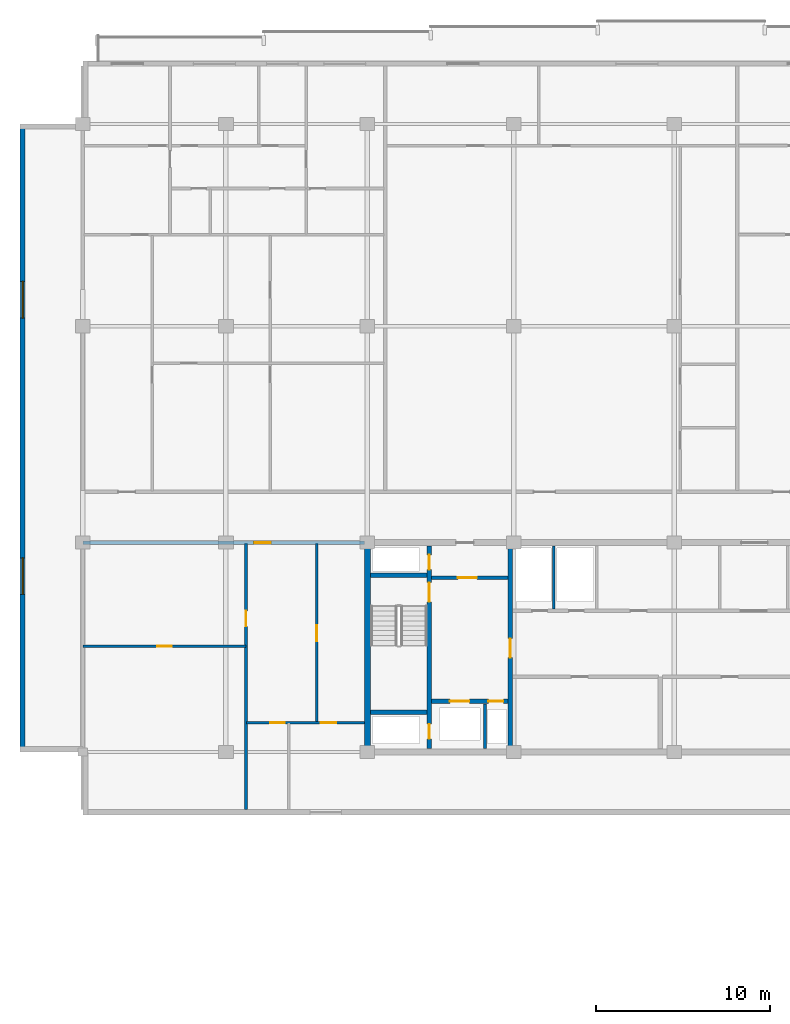
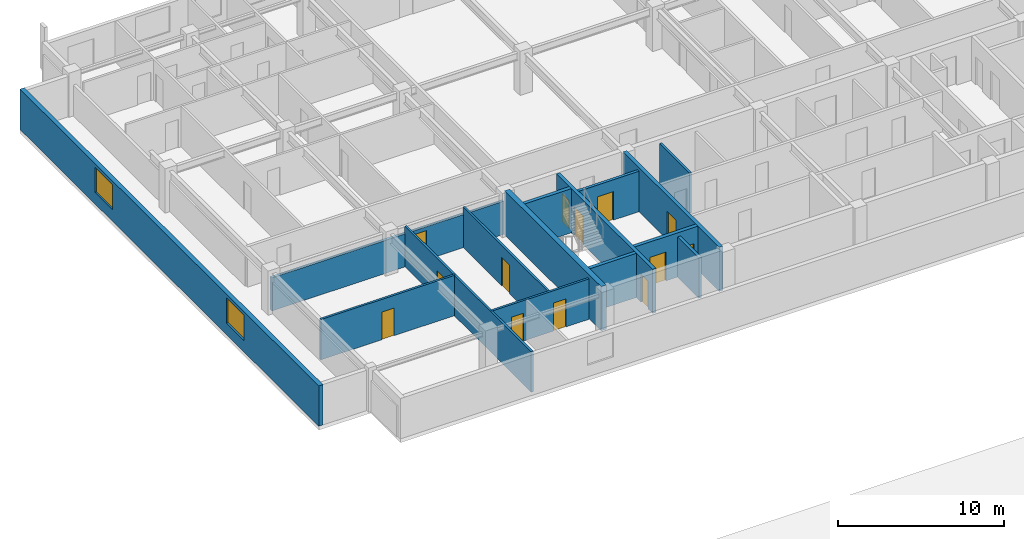
# One storey, part 3 of 11: 15 walls, 13 doors, 2 windows, 15 openings.
"""IFC4 building model written with IfcOpenShell, lengths in metres."""

from ifc_helpers import new_model, si_unit, direction, frame, frame_2d, origin, place, context, subcontext, project, spatial, rectangle, extrude, material, layer, layer_set, type_object, element, fill, save


model = new_model("IFC4")

# Units and contexts
model_context = context("Model", 3, precision=1e-05, world=origin(), true_north=direction((0.0, 1.0)))
body_context = subcontext(model_context, "Body", "Model", "MODEL_VIEW")
ifc_project = project(units=[si_unit("LENGTHUNIT", "METRE"), si_unit("AREAUNIT", "SQUARE_METRE"), si_unit("VOLUMEUNIT", "CUBIC_METRE"), si_unit("PLANEANGLEUNIT", "RADIAN"), si_unit("MASSUNIT", "GRAM", prefix="KILO")], contexts=[model_context])

# Site, building, storey
site_placement = place(None, origin())
site = spatial("IfcSite", under=ifc_project, at=site_placement, CompositionType="ELEMENT")
building_placement = place(site_placement, origin())
building = spatial("IfcBuilding", under=site, at=building_placement, Name="Korimba Cascade Residences", CompositionType="ELEMENT")
storey_placement = place(building_placement, frame((0.0, 0.0, 217.35009765625)))
storey = spatial("IfcBuildingStorey", under=building, at=storey_placement, Name="L63", CompositionType="ELEMENT", Elevation=217.35009765625)

# Wall, openings, windows
ifc_material_1 = material(Name="Precast concrete C40/50", Category="concrete")
ifc_layer_1 = layer(ifc_material_1, 0.300048828125)
ifc_layer_set_1 = layer_set([ifc_layer_1], Name="Precast concrete C40/50")
wall_type_1 = type_object("IfcWallType", Name="EW-STONE-300", PredefinedType="STANDARD", material=ifc_layer_set_1)
wall_1_placement = place(storey_placement, frame((56.35009765625, 91.199951171875, 0.0), z_axis=(0.0, 0.0, 1.0), x_axis=(0.0, -1.0, 0.0)))
wall_1 = element("IfcWall", 1, at=wall_1_placement, inside=storey, type_object=wall_type_1, Name="L63 T1 Perimeter Stone Wall E09", PredefinedType="STANDARD", context=body_context, shape_type="SweptSolid", body=[
    extrude(rectangle(XDim=36.0, YDim=0.300048828125, at=frame_2d((18.0, 0.0))), origin(), (0.0, 0.0, 1.0), 2.969970703125),
])
opening_1_placement = place(wall_1_placement, frame((9.030029296875, 0.0, 0.85009765625)))
opening_1 = element("IfcOpeningElement", 2, at=opening_1_placement, cuts=wall_1, Name="Opening W-03", PredefinedType="OPENING", context=body_context, shape_type="SweptSolid", body=[
    extrude(rectangle(XDim=2.10009765625, YDim=1.85009765625, at=frame_2d((1.050048828125, 0.925048828125))), frame((0.0, 0.16015625, 0.0), z_axis=(0.0, -1.0, 0.0), x_axis=(1.0, 0.0, 0.0)), (0.0, 0.0, 1.0), 0.320068359375),
])
opening_2_placement = place(wall_1_placement, frame((24.8701171875, 0.0, 0.85009765625)))
opening_2 = element("IfcOpeningElement", 3, at=opening_2_placement, cuts=wall_1, Name="Opening W-03", PredefinedType="OPENING", context=body_context, shape_type="SweptSolid", body=[
    extrude(rectangle(XDim=2.10009765625, YDim=1.85009765625, at=frame_2d((1.050048828125, 0.925048828125))), frame((0.0, 0.16015625, 0.0), z_axis=(0.0, -1.0, 0.0), x_axis=(1.0, 0.0, 0.0)), (0.0, 0.0, 1.0), 0.320068359375),
])
ifc_material_2 = material(Name="Double-Glazed Aluminium Window", Category="aluminium")
window_type = type_object("IfcWindowType", Name="WIN-CRN-2100", PartitioningType="DOUBLE_PANEL_HORIZONTAL", PredefinedType="WINDOW", material=ifc_material_2)
window_1_placement = place(opening_1_placement, origin())
window_1 = element("IfcWindow", 4, at=window_1_placement, inside=storey, type_object=window_type, Name="L63 T1 End View Window 9.1", OverallHeight=1.85009765625, OverallWidth=2.10009765625, PartitioningType="DOUBLE_PANEL_HORIZONTAL", PredefinedType="WINDOW", context=body_context, shape_type="SweptSolid", body=[
    extrude(rectangle(XDim=2.10009765625, YDim=1.85009765625, at=frame_2d((1.050048828125, 0.925048828125))), frame((0.0, 0.030029296875, 0.0), z_axis=(0.0, -1.0, 0.0), x_axis=(1.0, 0.0, 0.0)), (0.0, 0.0, 1.0), 0.06005859375),
])
fill(opening_1, window_1)
window_2_placement = place(opening_2_placement, origin())
window_2 = element("IfcWindow", 5, at=window_2_placement, inside=storey, type_object=window_type, Name="L63 T1 End View Window 9.2", OverallHeight=1.85009765625, OverallWidth=2.10009765625, PartitioningType="DOUBLE_PANEL_HORIZONTAL", PredefinedType="WINDOW", context=body_context, shape_type="SweptSolid", body=[
    extrude(rectangle(XDim=2.10009765625, YDim=1.85009765625, at=frame_2d((1.050048828125, 0.925048828125))), frame((0.0, 0.030029296875, 0.0), z_axis=(0.0, -1.0, 0.0), x_axis=(1.0, 0.0, 0.0)), (0.0, 0.0, 1.0), 0.06005859375),
])
fill(opening_2, window_2)

# Wall
ifc_material_3 = material(Name="Concrete C65/80", Category="concrete")
ifc_layer_2 = layer(ifc_material_3, 0.35009765625)
ifc_layer_set_2 = layer_set([ifc_layer_2], Name="Concrete C65/80")
wall_type_2 = type_object("IfcWallType", Name="WAL-CORE-350", PredefinedType="SHEAR", material=ifc_layer_set_2)
wall_2_placement = place(storey_placement, frame((76.125, 55.375, 0.0), z_axis=(0.0, 0.0, 1.0), x_axis=(0.0, 1.0, 0.0)))
element("IfcWall", 6, at=wall_2_placement, inside=storey, type_object=wall_type_2, Name="L63 Core Shear Wall CW-L63-T1-W", PredefinedType="SHEAR", context=body_context, shape_type="SweptSolid", body=[
    extrude(rectangle(XDim=11.64990234375, YDim=0.35009765625, at=frame_2d((5.824951171875, 0.0))), origin(), (0.0, 0.0, 1.0), 3.25),
])

# Wall, opening, door
ifc_layer_3 = layer(ifc_material_1, 0.199951171875)
ifc_layer_set_3 = layer_set([ifc_layer_3], Name="Precast concrete C40/50")
wall_type_3 = type_object("IfcWallType", Name="WAL-IT-200", PredefinedType="PARTITIONING", material=ifc_layer_set_3)
wall_3_placement = place(storey_placement, frame((59.800048828125, 67.199951171875, 0.0), z_axis=(0.0, 0.0, 1.0), x_axis=(1.0, 0.0, 0.0)))
wall_3 = element("IfcWall", 7, at=wall_3_placement, inside=storey, type_object=wall_type_3, Name="L63 Partition Wall WAL-L63-T1-FW-N", PredefinedType="PARTITIONING", context=body_context, shape_type="SweptSolid", body=[
    extrude(rectangle(XDim=16.14990234375, YDim=0.199951171875, at=frame_2d((8.074951171875, 0.0))), origin(), (0.0, 0.0, 1.0), 2.43310546875),
])
opening_3_placement = place(wall_3_placement, frame((9.823486328125, 0.0, 0.0)))
opening_3 = element("IfcOpeningElement", 8, at=opening_3_placement, cuts=wall_3, Name="Opening D-UN1", PredefinedType="OPENING", context=body_context, shape_type="SweptSolid", body=[
    extrude(rectangle(XDim=0.949951171875, YDim=2.14990234375, at=frame_2d((0.47509765625, 1.074951171875))), frame((0.0, 0.10986328125, 0.0), z_axis=(0.0, -1.0, 0.0), x_axis=(1.0, 0.0, 0.0)), (0.0, 0.0, 1.0), 0.219970703125),
])
ifc_material_4 = material(Name="Fire-Rated Hardwood Apartment Entrance Door", Category="wood")
door_type_1 = type_object("IfcDoorType", Name="DR-FD60-950", OperationType="NOTDEFINED", PredefinedType="DOOR", material=ifc_material_4)
door_1_placement = place(opening_3_placement, origin())
door_1 = element("IfcDoor", 9, at=door_1_placement, inside=storey, type_object=door_type_1, Name="L63-T1-FW Entrance Door", OperationType="SINGLE_SWING_LEFT", OverallHeight=2.14990234375, OverallWidth=0.949951171875, PredefinedType="DOOR", context=body_context, shape_type="SweptSolid", body=[
    extrude(rectangle(XDim=0.949951171875, YDim=2.14990234375, at=frame_2d((0.47509765625, 1.074951171875))), frame((0.0, 0.02490234375, 0.0), z_axis=(0.0, -1.0, 0.0), x_axis=(1.0, 0.0, 0.0)), (0.0, 0.0, 1.0), 0.050048828125),
])
fill(opening_3, door_1)

# Wall
ifc_material_5 = material(Name="Insulated Acoustic Stud Partition", Category="gypsum")
ifc_layer_4 = layer(ifc_material_5, 0.14990234375)
ifc_layer_set_4 = layer_set([ifc_layer_4], Name="Insulated Acoustic Stud Partition")
wall_type_4 = type_object("IfcWallType", Name="WAL-PART-150", PredefinedType="PARTITIONING", material=ifc_layer_set_4)
wall_4_placement = place(storey_placement, frame((86.800048828125, 63.39990234375, 0.0), z_axis=(0.0, 0.0, 1.0), x_axis=(0.0, 1.0, 0.0)))
element("IfcWall", 10, at=wall_4_placement, inside=storey, type_object=wall_type_4, Name="L63 Partition Wall CW-L63-T1-ERDIV", PredefinedType="PARTITIONING", context=body_context, shape_type="SweptSolid", body=[
    extrude(rectangle(XDim=3.60009765625, YDim=0.14990234375, at=frame_2d((1.800048828125, 0.0))), origin(), (0.0, 0.0, 1.0), 2.969970703125),
])

# Wall, opening, door
wall_5_placement = place(storey_placement, frame((59.800048828125, 61.25, 0.0), z_axis=(0.0, 0.0, 1.0), x_axis=(1.0, 0.0, 0.0)))
wall_5 = element("IfcWall", 11, at=wall_5_placement, inside=storey, type_object=wall_type_4, Name="L63 Partition Wall WAL-L63-T1-FW-STH", PredefinedType="PARTITIONING", context=body_context, shape_type="SweptSolid", body=[
    extrude(rectangle(XDim=9.349853515625, YDim=0.14990234375, at=frame_2d((4.6748046875, 0.0))), origin(), (0.0, 0.0, 1.0), 2.969970703125),
])
opening_4_placement = place(wall_5_placement, frame((4.2548828125, 0.0, 0.0)))
opening_4 = element("IfcOpeningElement", 12, at=opening_4_placement, cuts=wall_5, Name="Opening D-BT1", PredefinedType="OPENING", context=body_context, shape_type="SweptSolid", body=[
    extrude(rectangle(XDim=0.840087890625, YDim=2.0400390625, at=frame_2d((0.419921875, 1.02001953125))), frame((0.0, 0.0849609375, 0.0), z_axis=(0.0, -1.0, 0.0), x_axis=(1.0, 0.0, 0.0)), (0.0, 0.0, 1.0), 0.169921875),
])
ifc_material_6 = material(Name="Moisture-Resistant Bathroom Timber Door", Category="wood")
door_type_2 = type_object("IfcDoorType", Name="DR-INT-850", OperationType="NOTDEFINED", PredefinedType="DOOR", material=ifc_material_6)
door_2_placement = place(opening_4_placement, origin())
door_2 = element("IfcDoor", 13, at=door_2_placement, inside=storey, type_object=door_type_2, Name="L63-T1-FW Dressing Store Door", OperationType="SINGLE_SWING_RIGHT", OverallHeight=2.0400390625, OverallWidth=0.840087890625, PredefinedType="DOOR", context=body_context, shape_type="SweptSolid", body=[
    extrude(rectangle(XDim=0.840087890625, YDim=2.0400390625, at=frame_2d((0.419921875, 1.02001953125))), frame((0.0, 0.02490234375, 0.0), z_axis=(0.0, -1.0, 0.0), x_axis=(1.0, 0.0, 0.0)), (0.0, 0.0, 1.0), 0.050048828125),
])
fill(opening_4, door_2)

wall_6_placement = place(storey_placement, frame((69.14990234375, 51.89990234375, 0.0), z_axis=(0.0, 0.0, 1.0), x_axis=(0.0, 1.0, 0.0)))
wall_6 = element("IfcWall", 14, at=wall_6_placement, inside=storey, type_object=wall_type_4, Name="L63 Partition Wall WAL-L63-T1-FW-STV", PredefinedType="PARTITIONING", context=body_context, shape_type="SweptSolid", body=[
    extrude(rectangle(XDim=15.25, YDim=0.14990234375, at=frame_2d((7.625, 0.0))), origin(), (0.0, 0.0, 1.0), 2.969970703125),
])
opening_5_placement = place(wall_6_placement, frame((10.5, 0.0, 0.0)))
opening_5 = element("IfcOpeningElement", 15, at=opening_5_placement, cuts=wall_6, Name="Opening D-IN2", PredefinedType="OPENING", context=body_context, shape_type="SweptSolid", body=[
    extrude(rectangle(XDim=0.8798828125, YDim=2.06005859375, at=frame_2d((0.43994140625, 1.030029296875))), frame((0.0, 0.0849609375, 0.0), z_axis=(0.0, -1.0, 0.0), x_axis=(1.0, 0.0, 0.0)), (0.0, 0.0, 1.0), 0.169921875),
])
ifc_material_7 = material(Name="Acoustic Timber Bedroom Door", Category="wood")
door_type_3 = type_object("IfcDoorType", Name="DR-INT-880", OperationType="NOTDEFINED", PredefinedType="DOOR", material=ifc_material_7)
door_3_placement = place(opening_5_placement, origin())
door_3 = element("IfcDoor", 16, at=door_3_placement, inside=storey, type_object=door_type_3, Name="L63-T1-FW Study Door", OperationType="SINGLE_SWING_LEFT", OverallHeight=2.06005859375, OverallWidth=0.8798828125, PredefinedType="DOOR", context=body_context, shape_type="SweptSolid", body=[
    extrude(rectangle(XDim=0.8798828125, YDim=2.06005859375, at=frame_2d((0.43994140625, 1.030029296875))), frame((0.0, 0.02490234375, 0.0), z_axis=(0.0, -1.0, 0.0), x_axis=(1.0, 0.0, 0.0)), (0.0, 0.0, 1.0), 0.050048828125),
])
fill(opening_5, door_3)

wall_7_placement = place(storey_placement, frame((73.199951171875, 56.8701171875, 0.0), z_axis=(0.0, 0.0, 1.0), x_axis=(0.0, 1.0, 0.0)))
wall_7 = element("IfcWall", 17, at=wall_7_placement, inside=storey, type_object=wall_type_4, Name="L63 Partition Wall WAL-L63-T1-FW-VN", PredefinedType="PARTITIONING", context=body_context, shape_type="SweptSolid", body=[
    extrude(rectangle(XDim=10.27978515625, YDim=0.14990234375, at=frame_2d((5.139892578125, 0.0))), origin(), (0.0, 0.0, 1.0), 2.969970703125),
])
opening_6_placement = place(wall_7_placement, frame((4.679931640625, 0.0, 0.0)))
opening_6 = element("IfcOpeningElement", 18, at=opening_6_placement, cuts=wall_7, Name="Opening D-IN1", PredefinedType="OPENING", context=body_context, shape_type="SweptSolid", body=[
    extrude(rectangle(XDim=0.919921875, YDim=2.080078125, at=frame_2d((0.4599609375, 1.0400390625))), frame((0.0, 0.0849609375, 0.0), z_axis=(0.0, -1.0, 0.0), x_axis=(1.0, 0.0, 0.0)), (0.0, 0.0, 1.0), 0.169921875),
])
ifc_material_8 = material(Name="Acoustic Timber Living Door", Category="wood")
door_type_4 = type_object("IfcDoorType", Name="DR-INT-920", OperationType="NOTDEFINED", PredefinedType="DOOR", material=ifc_material_8)
door_4_placement = place(opening_6_placement, origin())
door_4 = element("IfcDoor", 19, at=door_4_placement, inside=storey, type_object=door_type_4, Name="L63-T1-FW Living Door", OperationType="SINGLE_SWING_RIGHT", OverallHeight=2.080078125, OverallWidth=0.919921875, PredefinedType="DOOR", context=body_context, shape_type="SweptSolid", body=[
    extrude(rectangle(XDim=0.919921875, YDim=2.080078125, at=frame_2d((0.4599609375, 1.0400390625))), frame((0.0, 0.02490234375, 0.0), z_axis=(0.0, -1.0, 0.0), x_axis=(1.0, 0.0, 0.0)), (0.0, 0.0, 1.0), 0.050048828125),
])
fill(opening_6, door_4)

# Wall, openings, doors
wall_8_placement = place(storey_placement, frame((69.169921875, 56.8701171875, 0.0), z_axis=(0.0, 0.0, 1.0), x_axis=(1.0, 0.0, 0.0)))
wall_8 = element("IfcWall", 20, at=wall_8_placement, inside=storey, type_object=wall_type_4, Name="L63 Partition Wall WAL-L63-T1-FW-H", PredefinedType="PARTITIONING", context=body_context, shape_type="SweptSolid", body=[
    extrude(rectangle(XDim=6.760009765625, YDim=0.14990234375, at=frame_2d((3.3798828125, 0.0))), origin(), (0.0, 0.0, 1.0), 2.969970703125),
])
opening_7_placement = place(wall_8_placement, frame((1.3623046875, 0.0, 0.0)))
opening_7 = element("IfcOpeningElement", 21, at=opening_7_placement, cuts=wall_8, Name="Opening D-BT1", PredefinedType="OPENING", context=body_context, shape_type="SweptSolid", body=[
    extrude(rectangle(XDim=0.840087890625, YDim=2.0400390625, at=frame_2d((0.419921875, 1.02001953125))), frame((0.0, 0.0849609375, 0.0), z_axis=(0.0, -1.0, 0.0), x_axis=(1.0, 0.0, 0.0)), (0.0, 0.0, 1.0), 0.169921875),
])
opening_8_placement = place(wall_8_placement, frame((4.276611328125, 0.0, 0.0)))
opening_8 = element("IfcOpeningElement", 22, at=opening_8_placement, cuts=wall_8, Name="Opening D-IN2", PredefinedType="OPENING", context=body_context, shape_type="SweptSolid", body=[
    extrude(rectangle(XDim=0.8798828125, YDim=2.06005859375, at=frame_2d((0.43994140625, 1.030029296875))), frame((0.0, 0.0849609375, 0.0), z_axis=(0.0, -1.0, 0.0), x_axis=(1.0, 0.0, 0.0)), (0.0, 0.0, 1.0), 0.169921875),
])
door_5_placement = place(opening_7_placement, origin())
door_5 = element("IfcDoor", 23, at=door_5_placement, inside=storey, type_object=door_type_2, Name="L63-T1-FW Bathroom Door", OperationType="SINGLE_SWING_LEFT", OverallHeight=2.0400390625, OverallWidth=0.840087890625, PredefinedType="DOOR", context=body_context, shape_type="SweptSolid", body=[
    extrude(rectangle(XDim=0.840087890625, YDim=2.0400390625, at=frame_2d((0.419921875, 1.02001953125))), frame((0.0, 0.02490234375, 0.0), z_axis=(0.0, -1.0, 0.0), x_axis=(1.0, 0.0, 0.0)), (0.0, 0.0, 1.0), 0.050048828125),
])
fill(opening_7, door_5)
door_6_placement = place(opening_8_placement, origin())
door_6 = element("IfcDoor", 24, at=door_6_placement, inside=storey, type_object=door_type_3, Name="L63-T1-FW Bedroom Door", OperationType="SINGLE_SWING_RIGHT", OverallHeight=2.06005859375, OverallWidth=0.8798828125, PredefinedType="DOOR", context=body_context, shape_type="SweptSolid", body=[
    extrude(rectangle(XDim=0.8798828125, YDim=2.06005859375, at=frame_2d((0.43994140625, 1.030029296875))), frame((0.0, 0.02490234375, 0.0), z_axis=(0.0, -1.0, 0.0), x_axis=(1.0, 0.0, 0.0)), (0.0, 0.0, 1.0), 0.050048828125),
])
fill(opening_8, door_6)

# Wall
ifc_material_9 = material(Name="Concrete C40/50", Category="concrete")
ifc_layer_5 = layer(ifc_material_9, 0.199951171875)
ifc_layer_set_5 = layer_set([ifc_layer_5], Name="Concrete C40/50")
wall_type_5 = type_object("IfcWallType", Name="WAL-PART-200", PredefinedType="PARTITIONING", material=ifc_layer_set_5)
wall_9_placement = place(storey_placement, frame((82.85009765625, 55.39990234375, 0.0), z_axis=(0.0, 0.0, 1.0), x_axis=(0.0, 1.0, 0.0)))
element("IfcWall", 25, at=wall_9_placement, inside=storey, type_object=wall_type_5, Name="L63 Partition Wall CW-L63-T1-FFLDIV", PredefinedType="PARTITIONING", context=body_context, shape_type="SweptSolid", body=[
    extrude(rectangle(XDim=2.56005859375, YDim=0.199951171875, at=frame_2d((1.280029296875, 0.0))), origin(), (0.0, 0.0, 1.0), 2.969970703125),
])

# Wall, opening, door
wall_10_placement = place(storey_placement, frame((79.7900390625, 65.179931640625, 0.0), z_axis=(0.0, 0.0, 1.0), x_axis=(1.0, 0.0, 0.0)))
wall_10 = element("IfcWall", 26, at=wall_10_placement, inside=storey, type_object=wall_type_5, Name="L63 Partition Wall CW-L63-T1-FFLN", PredefinedType="PARTITIONING", context=body_context, shape_type="SweptSolid", body=[
    extrude(rectangle(XDim=4.389892578125, YDim=0.199951171875, at=frame_2d((2.19482421875, 0.0))), origin(), (0.0, 0.0, 1.0), 2.969970703125),
])
opening_9_placement = place(wall_10_placement, frame((1.5, 0.0, 0.0)))
opening_9 = element("IfcOpeningElement", 27, at=opening_9_placement, cuts=wall_10, Name="Opening D-FD1", PredefinedType="OPENING", context=body_context, shape_type="SweptSolid", body=[
    extrude(rectangle(XDim=1.10009765625, YDim=2.10009765625, at=frame_2d((0.550048828125, 1.050048828125))), frame((0.0, 0.10986328125, 0.0), z_axis=(0.0, -1.0, 0.0), x_axis=(1.0, 0.0, 0.0)), (0.0, 0.0, 1.0), 0.219970703125),
])
ifc_material_10 = material(Name="Fire-Rated Steel Core Door", Category="steel")
door_type_5 = type_object("IfcDoorType", Name="DR-FD120-1100", OperationType="NOTDEFINED", PredefinedType="DOOR", material=ifc_material_10)
door_7_placement = place(opening_9_placement, origin())
door_7 = element("IfcDoor", 28, at=door_7_placement, inside=storey, type_object=door_type_5, Name="L63 West Firefighting Lobby Door", OperationType="SINGLE_SWING_RIGHT", OverallHeight=2.10009765625, OverallWidth=1.10009765625, PredefinedType="DOOR", context=body_context, shape_type="SweptSolid", body=[
    extrude(rectangle(XDim=1.10009765625, YDim=2.10009765625, at=frame_2d((0.550048828125, 1.050048828125))), frame((0.0, 0.02490234375, 0.0), z_axis=(0.0, -1.0, 0.0), x_axis=(1.0, 0.0, 0.0)), (0.0, 0.0, 1.0), 0.050048828125),
])
fill(opening_9, door_7)

# Wall, openings, doors
ifc_material_11 = material(Name="Concrete C50/60", Category="concrete")
ifc_layer_6 = layer(ifc_material_11, 0.25)
ifc_layer_set_6 = layer_set([ifc_layer_6], Name="Concrete C50/60")
wall_type_6 = type_object("IfcWallType", Name="WAL-SHAFT-250", PredefinedType="SHEAR", material=ifc_layer_set_6)
wall_11_placement = place(storey_placement, frame((79.6650390625, 55.39990234375, 0.0), z_axis=(0.0, 0.0, 1.0), x_axis=(0.0, 1.0, 0.0)))
wall_11 = element("IfcWall", 29, at=wall_11_placement, inside=storey, type_object=wall_type_6, Name="L63 Core Shear Wall CW-L63-T1-STW1E", PredefinedType="SHEAR", context=body_context, shape_type="SweptSolid", body=[
    extrude(rectangle(XDim=11.60009765625, YDim=0.25, at=frame_2d((5.800048828125, 0.0))), origin(), (0.0, 0.0, 1.0), 3.25),
])
opening_10_placement = place(wall_11_placement, frame((0.550048828125, 0.0, 0.0)))
opening_10 = element("IfcOpeningElement", 30, at=opening_10_placement, cuts=wall_11, Name="Opening D-RS1", PredefinedType="OPENING", context=body_context, shape_type="SweptSolid", body=[
    extrude(rectangle(XDim=0.85009765625, YDim=2.050048828125, at=frame_2d((0.425048828125, 1.02490234375))), frame((0.0, 0.135009765625, 0.0), z_axis=(0.0, -1.0, 0.0), x_axis=(1.0, 0.0, 0.0)), (0.0, 0.0, 1.0), 0.27001953125),
])
opening_11_placement = place(wall_11_placement, frame((8.39990234375, 0.0, 0.0)))
opening_11 = element("IfcOpeningElement", 31, at=opening_11_placement, cuts=wall_11, Name="Opening D-FD1", PredefinedType="OPENING", context=body_context, shape_type="SweptSolid", body=[
    extrude(rectangle(XDim=1.10009765625, YDim=2.10009765625, at=frame_2d((0.550048828125, 1.050048828125))), frame((0.0, 0.135009765625, 0.0), z_axis=(0.0, -1.0, 0.0), x_axis=(1.0, 0.0, 0.0)), (0.0, 0.0, 1.0), 0.27001953125),
])
opening_12_placement = place(wall_11_placement, frame((10.25, 0.0, 0.0)))
opening_12 = element("IfcOpeningElement", 32, at=opening_12_placement, cuts=wall_11, Name="Opening D-RS1", PredefinedType="OPENING", context=body_context, shape_type="SweptSolid", body=[
    extrude(rectangle(XDim=0.85009765625, YDim=2.050048828125, at=frame_2d((0.425048828125, 1.02490234375))), frame((0.0, 0.135009765625, 0.0), z_axis=(0.0, -1.0, 0.0), x_axis=(1.0, 0.0, 0.0)), (0.0, 0.0, 1.0), 0.27001953125),
])
door_8_placement = place(opening_11_placement, origin())
door_8 = element("IfcDoor", 33, at=door_8_placement, inside=storey, type_object=door_type_5, Name="L63 Fire Stair ST-W1 Door", OperationType="SINGLE_SWING_LEFT", OverallHeight=2.10009765625, OverallWidth=1.10009765625, PredefinedType="DOOR", context=body_context, shape_type="SweptSolid", body=[
    extrude(rectangle(XDim=1.10009765625, YDim=2.10009765625, at=frame_2d((0.550048828125, 1.050048828125))), frame((0.0, 0.02490234375, 0.0), z_axis=(0.0, -1.0, 0.0), x_axis=(1.0, 0.0, 0.0)), (0.0, 0.0, 1.0), 0.050048828125),
])
fill(opening_11, door_8)
ifc_material_12 = material(Name="Fire-Rated Steel Riser Access Door", Category="steel")
door_type_6 = type_object("IfcDoorType", Name="DR-FD60-850", OperationType="NOTDEFINED", PredefinedType="DOOR", material=ifc_material_12)
door_9_placement = place(opening_10_placement, origin())
door_9 = element("IfcDoor", 34, at=door_9_placement, inside=storey, type_object=door_type_6, Name="L63 Smoke Riser Access Door", OperationType="SINGLE_SWING_RIGHT", OverallHeight=2.050048828125, OverallWidth=0.85009765625, PredefinedType="DOOR", context=body_context, shape_type="SweptSolid", body=[
    extrude(rectangle(XDim=0.85009765625, YDim=2.050048828125, at=frame_2d((0.425048828125, 1.02490234375))), frame((0.0, 0.02490234375, 0.0), z_axis=(0.0, -1.0, 0.0), x_axis=(1.0, 0.0, 0.0)), (0.0, 0.0, 1.0), 0.050048828125),
])
fill(opening_10, door_9)
door_10_placement = place(opening_12_placement, origin())
door_10 = element("IfcDoor", 35, at=door_10_placement, inside=storey, type_object=door_type_6, Name="L63 Hydrant Riser Access Door", OperationType="SINGLE_SWING_RIGHT", OverallHeight=2.050048828125, OverallWidth=0.85009765625, PredefinedType="DOOR", context=body_context, shape_type="SweptSolid", body=[
    extrude(rectangle(XDim=0.85009765625, YDim=2.050048828125, at=frame_2d((0.425048828125, 1.02490234375))), frame((0.0, 0.02490234375, 0.0), z_axis=(0.0, -1.0, 0.0), x_axis=(1.0, 0.0, 0.0)), (0.0, 0.0, 1.0), 0.050048828125),
])
fill(opening_12, door_10)

# Walls
for number, where, z_axis, x_axis, name in (
    (36, (76.300048828125, 57.47509765625, 0.0), (0.0, 0.0, 1.0), (1.0, 0.0, 0.0), "L63 Core Shear Wall CW-L63-T1-STW1S"),
    (37, (76.300048828125, 65.324951171875, 0.0), (0.0, 0.0, 1.0), (1.0, 0.0, 0.0), "L63 Core Shear Wall CW-L63-T1-STW1N"),
):
    element("IfcWall", number, at=place(storey_placement, frame(where, z_axis=z_axis, x_axis=x_axis)), inside=storey, type_object=wall_type_6, Name=name, PredefinedType="SHEAR", context=body_context, shape_type="SweptSolid", body=[
        extrude(rectangle(XDim=3.239990234375, YDim=0.25, at=frame_2d((1.6201171875, 0.0))), origin(), (0.0, 0.0, 1.0), 3.25),
    ])

# Wall, openings, doors
wall_12_placement = place(storey_placement, frame((79.7900390625, 58.10009765625, 0.0), z_axis=(0.0, 0.0, 1.0), x_axis=(1.0, 0.0, 0.0)))
wall_12 = element("IfcWall", 38, at=wall_12_placement, inside=storey, type_object=wall_type_6, Name="L63 Core Shear Wall CW-L63-T1-FFLS", PredefinedType="SHEAR", context=body_context, shape_type="SweptSolid", body=[
    extrude(rectangle(XDim=4.389892578125, YDim=0.25, at=frame_2d((2.19482421875, 0.0))), origin(), (0.0, 0.0, 1.0), 3.25),
])
opening_13_placement = place(wall_12_placement, frame((1.050048828125, 0.0, 0.0)))
opening_13 = element("IfcOpeningElement", 39, at=opening_13_placement, cuts=wall_12, Name="Opening LD-01", PredefinedType="OPENING", context=body_context, shape_type="SweptSolid", body=[
    extrude(rectangle(XDim=1.1201171875, YDim=2.1201171875, at=frame_2d((0.56005859375, 1.06005859375))), frame((0.0, 0.135009765625, 0.0), z_axis=(0.0, -1.0, 0.0), x_axis=(1.0, 0.0, 0.0)), (0.0, 0.0, 1.0), 0.27001953125),
])
opening_14_placement = place(wall_12_placement, frame((3.260009765625, 0.0, 0.0)))
opening_14 = element("IfcOpeningElement", 40, at=opening_14_placement, cuts=wall_12, Name="Opening D-RS1", PredefinedType="OPENING", context=body_context, shape_type="SweptSolid", body=[
    extrude(rectangle(XDim=0.85009765625, YDim=2.050048828125, at=frame_2d((0.425048828125, 1.02490234375))), frame((0.0, 0.135009765625, 0.0), z_axis=(0.0, -1.0, 0.0), x_axis=(1.0, 0.0, 0.0)), (0.0, 0.0, 1.0), 0.27001953125),
])
door_11_placement = place(opening_14_placement, origin())
door_11 = element("IfcDoor", 41, at=door_11_placement, inside=storey, type_object=door_type_6, Name="L63 Pressurisation Riser Door", OperationType="SINGLE_SWING_LEFT", OverallHeight=2.050048828125, OverallWidth=0.85009765625, PredefinedType="DOOR", context=body_context, shape_type="SweptSolid", body=[
    extrude(rectangle(XDim=0.85009765625, YDim=2.050048828125, at=frame_2d((0.425048828125, 1.02490234375))), frame((0.0, 0.02490234375, 0.0), z_axis=(0.0, -1.0, 0.0), x_axis=(1.0, 0.0, 0.0)), (0.0, 0.0, 1.0), 0.050048828125),
])
fill(opening_14, door_11)
ifc_material_13 = material(Name="Stainless Steel Lift Landing Sliding Door", Category="steel")
door_type_7 = type_object("IfcDoorType", Name="DR-LIFT-1100", OperationType="NOTDEFINED", PredefinedType="DOOR", material=ifc_material_13)
door_12_placement = place(opening_13_placement, origin())
door_12 = element("IfcDoor", 42, at=door_12_placement, inside=storey, type_object=door_type_7, Name="L63 Firefighting Lift Landing Door FFL-W1", OperationType="SLIDING_TO_LEFT", OverallHeight=2.1201171875, OverallWidth=1.1201171875, PredefinedType="DOOR", context=body_context, shape_type="SweptSolid", body=[
    extrude(rectangle(XDim=1.1201171875, YDim=2.1201171875, at=frame_2d((0.56005859375, 1.06005859375))), frame((0.0, 0.02490234375, 0.0), z_axis=(0.0, -1.0, 0.0), x_axis=(1.0, 0.0, 0.0)), (0.0, 0.0, 1.0), 0.050048828125),
])
fill(opening_13, door_12)

# Wall, opening, door
wall_13_placement = place(storey_placement, frame((84.300048828125, 55.39990234375, 0.0), z_axis=(0.0, 0.0, 1.0), x_axis=(0.0, 1.0, 0.0)))
wall_13 = element("IfcWall", 43, at=wall_13_placement, inside=storey, type_object=wall_type_6, Name="L63 Core Shear Wall CW-L63-T1-FFLE", PredefinedType="SHEAR", context=body_context, shape_type="SweptSolid", body=[
    extrude(rectangle(XDim=11.60009765625, YDim=0.25, at=frame_2d((5.800048828125, 0.0))), origin(), (0.0, 0.0, 1.0), 3.25),
])
opening_15_placement = place(wall_13_placement, frame((5.199951171875, 0.0, 0.0)))
opening_15 = element("IfcOpeningElement", 44, at=opening_15_placement, cuts=wall_13, Name="Opening D-FD1", PredefinedType="OPENING", context=body_context, shape_type="SweptSolid", body=[
    extrude(rectangle(XDim=1.10009765625, YDim=2.10009765625, at=frame_2d((0.550048828125, 1.050048828125))), frame((0.0, 0.135009765625, 0.0), z_axis=(0.0, -1.0, 0.0), x_axis=(1.0, 0.0, 0.0)), (0.0, 0.0, 1.0), 0.27001953125),
])
door_13_placement = place(opening_15_placement, origin())
door_13 = element("IfcDoor", 45, at=door_13_placement, inside=storey, type_object=door_type_5, Name="L63 Firefighting Lobby to Lift Lobby Door", OperationType="SINGLE_SWING_LEFT", OverallHeight=2.10009765625, OverallWidth=1.10009765625, PredefinedType="DOOR", context=body_context, shape_type="SweptSolid", body=[
    extrude(rectangle(XDim=1.10009765625, YDim=2.10009765625, at=frame_2d((0.550048828125, 1.050048828125))), frame((0.0, 0.02490234375, 0.0), z_axis=(0.0, -1.0, 0.0), x_axis=(1.0, 0.0, 0.0)), (0.0, 0.0, 1.0), 0.050048828125),
])
fill(opening_15, door_13)

save(model, "model.ifc")
